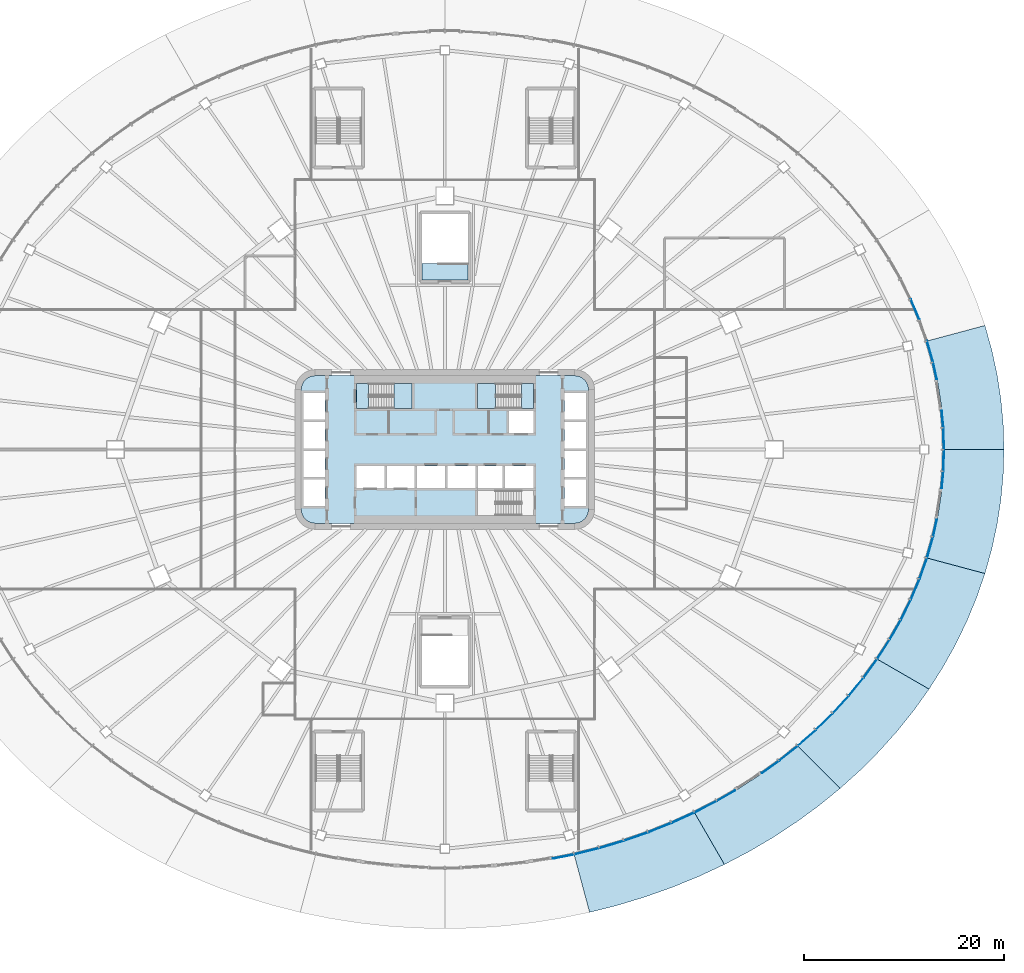
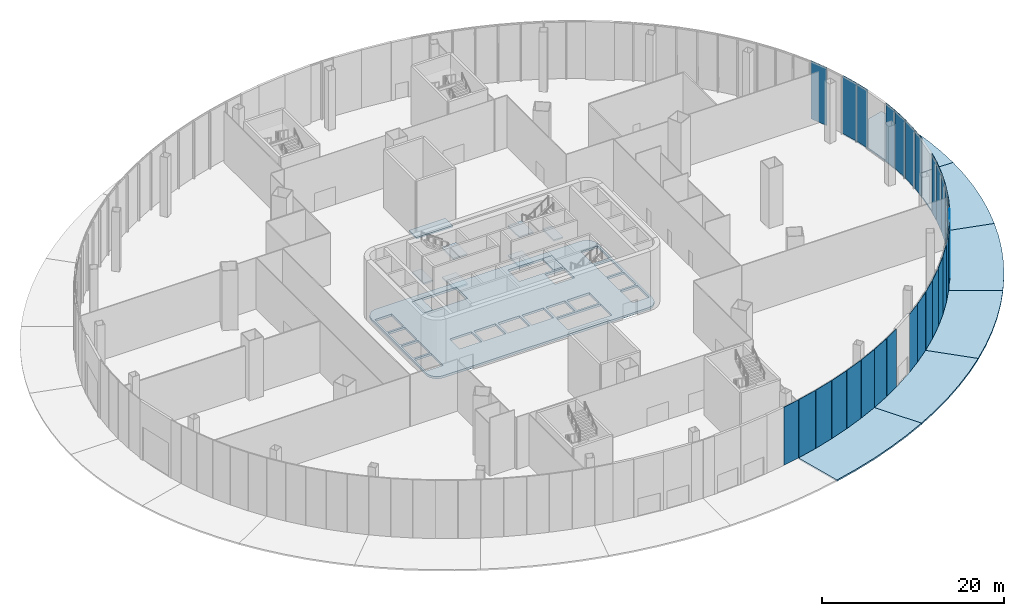
# One storey, part 13 of 36: 29 plates, 16 slabs, 13 elements without a shape of their own.
"""IFC4 building model written with IfcOpenShell, lengths in metres."""

from ifc_helpers import new_model, si_unit, direction, frame, origin, place, context, subcontext, project, spatial, polyline, outline, extrude, material, layer, layer_set, type_object, element, aggregate, save


model = new_model("IFC4")

# Units and contexts
model_context = context("Model", 3, precision=1e-05, world=origin(), true_north=direction((0.0, 1.0)))
body_context = subcontext(model_context, "Body", "Model", "MODEL_VIEW")
ifc_project = project(units=[si_unit("LENGTHUNIT", "METRE"), si_unit("AREAUNIT", "SQUARE_METRE"), si_unit("VOLUMEUNIT", "CUBIC_METRE"), si_unit("PLANEANGLEUNIT", "RADIAN"), si_unit("MASSUNIT", "GRAM", prefix="KILO")], contexts=[model_context])

# Site, building, storey
site_placement = place(None, origin())
site = spatial("IfcSite", under=ifc_project, at=site_placement, CompositionType="ELEMENT")
building_placement = place(site_placement, origin())
building = spatial("IfcBuilding", under=site, at=building_placement, Name="Sahrelin Media Tower", CompositionType="ELEMENT")
storey_placement = place(building_placement, origin())
storey = spatial("IfcBuildingStorey", under=building, at=storey_placement, Name="L00", CompositionType="ELEMENT", Elevation=0.0)

# Slab
ifc_material_1 = material(Name="Concrete C40/50", Category="concrete")
ifc_layer_1 = layer(ifc_material_1, 0.300048828125)
ifc_layer_set_1 = layer_set([ifc_layer_1], Name="Core floor slab 300")
slab_type_1 = type_object("IfcSlabType", Name="Core floor slab 300", PredefinedType="FLOOR", material=ifc_layer_set_1)
slab_1_placement = place(storey_placement, frame((0.0, 0.0, -0.300048828125)))
element("IfcSlab", 1, at=slab_1_placement, inside=storey, type_object=slab_type_1, Name="Core floor", PredefinedType="FLOOR", context=body_context, shape_type="SweptSolid", body=[
    extrude(outline(polyline([(-13.986328125, 6.986328125), (-14.2080078125, 6.697509765625), (-14.347412109375, 6.361083984375), (-14.39990234375, 5.960693359375), (-14.39990234375, -5.960693359375), (-14.347412109375, -6.361083984375), (-14.2080078125, -6.697509765625), (-13.986328125, -6.986328125), (-13.697509765625, -7.2080078125), (-13.361083984375, -7.347412109375), (-12.960693359375, -7.39990234375), (12.960693359375, -7.39990234375), (13.361083984375, -7.347412109375), (13.697509765625, -7.2080078125), (13.986328125, -6.986328125), (14.2080078125, -6.697509765625), (14.347412109375, -6.361083984375), (14.39990234375, -5.960693359375), (14.39990234375, 5.960693359375), (14.347412109375, 6.361083984375), (14.2080078125, 6.697509765625), (13.986328125, 6.986328125), (13.697509765625, 7.2080078125), (13.361083984375, 7.347412109375), (12.960693359375, 7.39990234375), (-12.960693359375, 7.39990234375), (-13.361083984375, 7.347412109375), (-13.697509765625, 7.2080078125), (-13.986328125, 6.986328125)]), holes=[polyline([(-14.14990234375, 5.675048828125), (-14.14990234375, 3.02490234375), (-12.0, 3.02490234375), (-12.0, 5.675048828125), (-14.14990234375, 5.675048828125)]), polyline([(-12.0, 2.77490234375), (-14.14990234375, 2.77490234375), (-14.14990234375, 0.125), (-12.0, 0.125), (-12.0, 2.77490234375)]), polyline([(-12.0, -2.77490234375), (-12.0, -0.125), (-14.14990234375, -0.125), (-14.14990234375, -2.77490234375), (-12.0, -2.77490234375)]), polyline([(-14.14990234375, -5.675048828125), (-12.0, -5.675048828125), (-12.0, -3.02490234375), (-14.14990234375, -3.02490234375), (-14.14990234375, -5.675048828125)]), polyline([(12.0, 5.675048828125), (12.0, 3.02490234375), (14.14990234375, 3.02490234375), (14.14990234375, 5.675048828125), (12.0, 5.675048828125)]), polyline([(14.14990234375, 2.77490234375), (12.0, 2.77490234375), (12.0, 0.125), (14.14990234375, 0.125), (14.14990234375, 2.77490234375)]), polyline([(14.14990234375, -2.77490234375), (14.14990234375, -0.125), (12.0, -0.125), (12.0, -2.77490234375), (14.14990234375, -2.77490234375)]), polyline([(12.0, -5.675048828125), (14.14990234375, -5.675048828125), (14.14990234375, -3.02490234375), (12.0, -3.02490234375), (12.0, -5.675048828125)]), polyline([(6.425048828125, 3.85009765625), (6.425048828125, 1.64990234375), (8.875, 1.64990234375), (8.875, 3.85009765625), (6.425048828125, 3.85009765625)]), polyline([(-6.074951171875, -1.64990234375), (-8.875, -1.64990234375), (-8.875, -3.85009765625), (-6.074951171875, -3.85009765625), (-6.074951171875, -1.64990234375)]), polyline([(-3.02490234375, -3.85009765625), (-3.02490234375, -1.64990234375), (-5.824951171875, -1.64990234375), (-5.824951171875, -3.85009765625), (-3.02490234375, -3.85009765625)]), polyline([(-2.77490234375, -3.85009765625), (0.02490234375, -3.85009765625), (0.02490234375, -1.64990234375), (-2.77490234375, -1.64990234375), (-2.77490234375, -3.85009765625)]), polyline([(0.27490234375, -1.64990234375), (0.27490234375, -3.85009765625), (3.074951171875, -3.85009765625), (3.074951171875, -1.64990234375), (0.27490234375, -1.64990234375)]), polyline([(5.77490234375, -1.64990234375), (3.324951171875, -1.64990234375), (3.324951171875, -3.85009765625), (5.77490234375, -3.85009765625), (5.77490234375, -1.64990234375)]), polyline([(8.875, -3.85009765625), (8.875, -1.64990234375), (6.02490234375, -1.64990234375), (6.02490234375, -3.85009765625), (8.875, -3.85009765625)]), polyline([(-8.875, 6.60009765625), (-8.875, 4.10009765625), (-3.27490234375, 4.10009765625), (-3.27490234375, 6.60009765625), (-8.875, 6.60009765625)]), polyline([(3.27490234375, 4.10009765625), (8.875, 4.10009765625), (8.875, 6.60009765625), (3.27490234375, 6.60009765625), (3.27490234375, 4.10009765625)]), polyline([(3.27490234375, -4.10009765625), (3.27490234375, -6.60009765625), (8.875, -6.60009765625), (8.875, -4.10009765625), (3.27490234375, -4.10009765625)])]), origin(), (0.0, 0.0, 1.0), 0.300048828125),
])

# Curtain wall, plates
ifc_material_2 = material(Name="Champagne anodised aluminium 6063-T6", Category="aluminium")
ifc_layer_2 = layer(ifc_material_2, 0.14990234375)
ifc_layer_set_2 = layer_set([ifc_layer_2], Name="Concourse curtain wall")
curtain_wall_type_1 = type_object("IfcCurtainWallType", Name="Concourse curtain wall", PredefinedType="NOTDEFINED", material=ifc_layer_set_2)
curtain_wall_1_placement = place(storey_placement, frame((50.0, 0.0, 0.0), z_axis=(0.0, 0.0, 1.0), x_axis=(1.0, 0.0, 0.0)))
curtain_wall_1 = element("IfcCurtainWall", 2, at=curtain_wall_1_placement, inside=storey, type_object=curtain_wall_type_1, Name="L00:CW:L00-P00", PredefinedType="NOTDEFINED")
ifc_material_3 = material(Name="Clear low-iron glazing", Category="glass")
ifc_layer_3 = layer(ifc_material_3, 0.06005859375)
ifc_layer_set_3 = layer_set([ifc_layer_3], Name="Glazing panel 60 mm CW4")
plate_type_1 = type_object("IfcPlateType", Name="Glazing panel 60 mm CW4", PredefinedType="CURTAIN_PANEL", material=ifc_layer_set_3)
plate_1_placement = place(storey_placement, frame((50.01806640625, 0.060546875, 0.0), z_axis=(0.999514522545, 0.031156367282, 0.0), x_axis=(-0.031156367282, 0.999514522545, 0.0)))
plate_1 = element("IfcPlate", 3, at=plate_1_placement, type_object=plate_type_1, Name="L00:CWP1a:L00-P00", PredefinedType="CURTAIN_PANEL", context=body_context, shape_type="SweptSolid", body=[
    extrude(outline(polyline([(0.0, 0.0), (2.13916015625, 0.0), (2.13916015625, 7.800048828125), (0.0, 7.800048828125), (0.0, 0.0)])), origin(), (0.0, 0.0, -1.0), 0.06005859375),
])
plate_2_placement = place(storey_placement, frame((49.94580078125, 2.259765625, 0.0), z_axis=(0.995642415906, 0.093253309051, 0.0), x_axis=(-0.093253309051, 0.995642415906, 0.0)))
plate_2 = element("IfcPlate", 4, at=plate_2_placement, type_object=plate_type_1, Name="L00:CWP2a:L00-P00", PredefinedType="CURTAIN_PANEL", context=body_context, shape_type="SweptSolid", body=[
    extrude(outline(polyline([(0.0, 0.0), (1.64404296875, 0.0), (1.64404296875, 7.800048828125), (0.0, 7.800048828125), (0.0, 0.0)])), origin(), (0.0, 0.0, -1.0), 0.06005859375),
])
aggregate(curtain_wall_1, [plate_1, plate_2])

curtain_wall_2_placement = place(storey_placement, frame((49.277587890625, 7.054443359375, 0.0), z_axis=(0.0, 0.0, 1.0), x_axis=(1.0, 0.0, 0.0)))
curtain_wall_2 = element("IfcCurtainWall", 5, at=curtain_wall_2_placement, inside=storey, type_object=curtain_wall_type_1, Name="L00:CW2:L00-P00", PredefinedType="NOTDEFINED")
plate_3_placement = place(storey_placement, frame((49.297119140625, 7.05859375, 0.0), z_axis=(0.976526849992, 0.21539570851, 0.0), x_axis=(-0.21539570851, 0.976526849992, 0.0)))
plate_3 = element("IfcPlate", 6, at=plate_3_placement, type_object=plate_type_1, Name="L00:CWP4a:L00-P00", PredefinedType="CURTAIN_PANEL", context=body_context, shape_type="SweptSolid", body=[
    extrude(outline(polyline([(0.0, 0.0), (1.71826171875, 0.0), (1.71826171875, 7.800048828125), (0.0, 7.800048828125), (0.0, 0.0)])), origin(), (0.0, 0.0, -1.0), 0.06005859375),
])
plate_4_placement = place(storey_placement, frame((48.91015625, 8.79541015625, 0.0), z_axis=(0.961489880043, 0.274840336515, 0.0), x_axis=(-0.274840336515, 0.961489880043, 0.0)))
plate_4 = element("IfcPlate", 7, at=plate_4_placement, type_object=plate_type_1, Name="L00:CWP5a:L00-P00", PredefinedType="CURTAIN_PANEL", context=body_context, shape_type="SweptSolid", body=[
    extrude(outline(polyline([(0.0, 0.0), (2.163818359375, 0.0), (2.163818359375, 7.800048828125), (0.0, 7.800048828125), (0.0, 0.0)])), origin(), (0.0, 0.0, -1.0), 0.06005859375),
])
aggregate(curtain_wall_2, [plate_3, plate_4])

# Curtain wall, plate
curtain_wall_3_placement = place(storey_placement, frame((48.29638671875, 10.870361328125, 0.0), z_axis=(0.0, 0.0, 1.0), x_axis=(1.0, 0.0, 0.0)))
curtain_wall_3 = element("IfcCurtainWall", 8, at=curtain_wall_3_placement, inside=storey, type_object=curtain_wall_type_1, Name="L00:CW:L00-P01", PredefinedType="NOTDEFINED")
plate_5_placement = place(storey_placement, frame((47.5478515625, 13.041748046875, 0.0), z_axis=(0.921498885337, 0.388381004069, 0.0), x_axis=(-0.388381004069, 0.921498885337, 0.0)))
plate_5 = element("IfcPlate", 9, at=plate_5_placement, type_object=plate_type_1, Name="L00:CWP2a:L00-P01", PredefinedType="CURTAIN_PANEL", context=body_context, shape_type="SweptSolid", body=[
    extrude(outline(polyline([(0.0, 0.0), (2.189453125, 0.0), (2.189453125, 7.800048828125), (0.0, 7.800048828125), (0.0, 0.0)])), origin(), (0.0, 0.0, -1.0), 0.06005859375),
])
aggregate(curtain_wall_3, [plate_5])

# Curtain wall, plates
curtain_wall_4_placement = place(storey_placement, frame((12.94091796875, -40.56884765625, 0.0), z_axis=(0.0, 0.0, 1.0), x_axis=(1.0, 0.0, 0.0)))
curtain_wall_4 = element("IfcCurtainWall", 10, at=curtain_wall_4_placement, inside=storey, type_object=curtain_wall_type_1, Name="L00:CW:L00-P19", PredefinedType="NOTDEFINED")
plate_6_placement = place(storey_placement, frame((13.004150390625, -40.57373046875, 0.0), z_axis=(0.241421195895, -0.970420427533, 0.0), x_axis=(0.970420427533, 0.241421195895, 0.0)))
plate_6 = element("IfcPlate", 11, at=plate_6_placement, type_object=plate_type_1, Name="L00:CWP1a:L00-P19", PredefinedType="CURTAIN_PANEL", context=body_context, shape_type="SweptSolid", body=[
    extrude(outline(polyline([(0.0, 0.0), (2.526123046875, 0.0), (2.526123046875, 7.800048828125), (0.0, 7.800048828125), (0.0, 0.0)])), origin(), (0.0, 0.0, -1.0), 0.06005859375),
])
plate_7_placement = place(storey_placement, frame((15.513916015625, -39.946533203125, 0.0), z_axis=(0.285155908316, -0.958481146373, 0.0), x_axis=(0.958481146373, 0.285155908316, 0.0)))
plate_7 = element("IfcPlate", 12, at=plate_7_placement, type_object=plate_type_1, Name="L00:CWP2a:L00-P19", PredefinedType="CURTAIN_PANEL", context=body_context, shape_type="SweptSolid", body=[
    extrude(outline(polyline([(0.0, 0.0), (2.5146484375, 0.0), (2.5146484375, 7.800048828125), (0.0, 7.800048828125), (0.0, 0.0)])), origin(), (0.0, 0.0, -1.0), 0.06005859375),
])
plate_8_placement = place(storey_placement, frame((17.981689453125, -39.209716796875, 0.0), z_axis=(0.328706157062, -0.944432243366, 0.0), x_axis=(0.944432243366, 0.328706157062, 0.0)))
plate_8 = element("IfcPlate", 13, at=plate_8_placement, type_object=plate_type_1, Name="L00:CWP3a:L00-P19", PredefinedType="CURTAIN_PANEL", context=body_context, shape_type="SweptSolid", body=[
    extrude(outline(polyline([(0.0, 0.0), (2.500732421875, 0.0), (2.500732421875, 7.800048828125), (0.0, 7.800048828125), (0.0, 0.0)])), origin(), (0.0, 0.0, -1.0), 0.06005859375),
])
plate_9_placement = place(storey_placement, frame((20.39990234375, -38.365234375, 0.0), z_axis=(0.37193262101, -0.928259729509, 0.0), x_axis=(0.928259729509, 0.37193262101, 0.0)))
plate_9 = element("IfcPlate", 14, at=plate_9_placement, type_object=plate_type_1, Name="L00:CWP4a:L00-P19", PredefinedType="CURTAIN_PANEL", context=body_context, shape_type="SweptSolid", body=[
    extrude(outline(polyline([(0.0, 0.0), (2.485107421875, 0.0), (2.485107421875, 7.800048828125), (0.0, 7.800048828125), (0.0, 0.0)])), origin(), (0.0, 0.0, -1.0), 0.06005859375),
])
plate_10_placement = place(storey_placement, frame((22.762451171875, -37.41552734375, 0.0), z_axis=(0.414920431956, -0.909857700492, 0.0), x_axis=(0.909857700492, 0.414920431956, 0.0)))
plate_10 = element("IfcPlate", 15, at=plate_10_placement, type_object=plate_type_1, Name="L00:CWP5a:L00-P19", PredefinedType="CURTAIN_PANEL", context=body_context, shape_type="SweptSolid", body=[
    extrude(outline(polyline([(0.0, 0.0), (2.46826171875, 0.0), (2.46826171875, 7.800048828125), (0.0, 7.800048828125), (0.0, 0.0)])), origin(), (0.0, 0.0, -1.0), 0.06005859375),
])
aggregate(curtain_wall_4, [plate_6, plate_7, plate_8, plate_9, plate_10])

curtain_wall_5_placement = place(storey_placement, frame((25.0, -36.373046875, 0.0), z_axis=(0.0, 0.0, 1.0), x_axis=(1.0, 0.0, 0.0)))
curtain_wall_5 = element("IfcCurtainWall", 16, at=curtain_wall_5_placement, inside=storey, type_object=curtain_wall_type_1, Name="L00:CW:L00-P20", PredefinedType="NOTDEFINED")
plate_11_placement = place(storey_placement, frame((25.0625, -36.36328125, 0.0), z_axis=(0.457624898089, -0.889145349563, 0.0), x_axis=(0.889145349563, 0.457624898089, 0.0)))
plate_11 = element("IfcPlate", 17, at=plate_11_placement, type_object=plate_type_1, Name="L00:CWP1a:L00-P20", PredefinedType="CURTAIN_PANEL", context=body_context, shape_type="SweptSolid", body=[
    extrude(outline(polyline([(0.0, 0.0), (2.450439453125, 0.0), (2.450439453125, 7.800048828125), (0.0, 7.800048828125), (0.0, 0.0)])), origin(), (0.0, 0.0, -1.0), 0.06005859375),
])
plate_12_placement = place(storey_placement, frame((27.2939453125, -35.21142578125, 0.0), z_axis=(0.499984633485, -0.866034275465, 0.0), x_axis=(0.866034275465, 0.499984633485, 0.0)))
plate_12 = element("IfcPlate", 18, at=plate_12_placement, type_object=plate_type_1, Name="L00:CWP2a:L00-P20", PredefinedType="CURTAIN_PANEL", context=body_context, shape_type="SweptSolid", body=[
    extrude(outline(polyline([(0.0, 0.0), (2.06884765625, 0.0), (2.06884765625, 7.800048828125), (0.0, 7.800048828125), (0.0, 0.0)])), origin(), (0.0, 0.0, -1.0), 0.06005859375),
])
aggregate(curtain_wall_5, [plate_11, plate_12])

curtain_wall_6_placement = place(storey_placement, frame((31.76416015625, -32.426025390625, 0.0), z_axis=(0.0, 0.0, 1.0), x_axis=(1.0, 0.0, 0.0)))
curtain_wall_6 = element("IfcCurtainWall", 19, at=curtain_wall_6_placement, inside=storey, type_object=curtain_wall_type_1, Name="L00:CW2:L00-P20", PredefinedType="NOTDEFINED")
plate_13_placement = place(storey_placement, frame((31.77587890625, -32.4423828125, 0.0), z_axis=(0.582833845015, -0.812591354313, 0.0), x_axis=(0.812591354313, 0.582833845015, 0.0)))
plate_13 = element("IfcPlate", 20, at=plate_13_placement, type_object=plate_type_1, Name="L00:CWP4a:L00-P20", PredefinedType="CURTAIN_PANEL", context=body_context, shape_type="SweptSolid", body=[
    extrude(outline(polyline([(0.0, 0.0), (2.082763671875, 0.0), (2.082763671875, 7.800048828125), (0.0, 7.800048828125), (0.0, 0.0)])), origin(), (0.0, 0.0, -1.0), 0.06005859375),
])
plate_14_placement = place(storey_placement, frame((33.515869140625, -31.190185546875, 0.0), z_axis=(0.623260841963, -0.782014017058, 0.0), x_axis=(0.782014017058, 0.623260841963, 0.0)))
plate_14 = element("IfcPlate", 21, at=plate_14_placement, type_object=plate_type_1, Name="L00:CWP5a:L00-P20", PredefinedType="CURTAIN_PANEL", context=body_context, shape_type="SweptSolid", body=[
    extrude(outline(polyline([(0.0, 0.0), (2.368408203125, 0.0), (2.368408203125, 7.800048828125), (0.0, 7.800048828125), (0.0, 0.0)])), origin(), (0.0, 0.0, -1.0), 0.06005859375),
])
aggregate(curtain_wall_6, [plate_13, plate_14])

curtain_wall_7_placement = place(storey_placement, frame((35.355224609375, -29.698486328125, 0.0), z_axis=(0.0, 0.0, 1.0), x_axis=(1.0, 0.0, 0.0)))
curtain_wall_7 = element("IfcCurtainWall", 22, at=curtain_wall_7_placement, inside=storey, type_object=curtain_wall_type_1, Name="L00:CW:L00-P21", PredefinedType="NOTDEFINED")
plate_15_placement = place(storey_placement, frame((35.41357421875, -29.673583984375, 0.0), z_axis=(0.662825302002, -0.748774077426, 0.0), x_axis=(0.748774077426, 0.662825302002, 0.0)))
plate_15 = element("IfcPlate", 23, at=plate_15_placement, type_object=plate_type_1, Name="L00:CWP1a:L00-P21", PredefinedType="CURTAIN_PANEL", context=body_context, shape_type="SweptSolid", body=[
    extrude(outline(polyline([(0.0, 0.0), (2.34619140625, 0.0), (2.34619140625, 7.800048828125), (0.0, 7.800048828125), (0.0, 0.0)])), origin(), (0.0, 0.0, -1.0), 0.06005859375),
])
plate_16_placement = place(storey_placement, frame((37.214111328125, -28.07568359375, 0.0), z_axis=(0.701200468246, -0.712964166934, 0.0), x_axis=(0.712964166934, 0.701200468246, 0.0)))
plate_16 = element("IfcPlate", 24, at=plate_16_placement, type_object=plate_type_1, Name="L00:CWP2a:L00-P21", PredefinedType="CURTAIN_PANEL", context=body_context, shape_type="SweptSolid", body=[
    extrude(outline(polyline([(0.0, 0.0), (2.324462890625, 0.0), (2.324462890625, 7.800048828125), (0.0, 7.800048828125), (0.0, 0.0)])), origin(), (0.0, 0.0, -1.0), 0.06005859375),
])
plate_17_placement = place(storey_placement, frame((38.91259765625, -26.400634765625, 0.0), z_axis=(0.738350052699, -0.6744176745, 0.0), x_axis=(0.6744176745, 0.738350052699, 0.0)))
plate_17 = element("IfcPlate", 25, at=plate_17_placement, type_object=plate_type_1, Name="L00:CWP3a:L00-P21", PredefinedType="CURTAIN_PANEL", context=body_context, shape_type="SweptSolid", body=[
    extrude(outline(polyline([(0.0, 0.0), (2.302734375, 0.0), (2.302734375, 7.800048828125), (0.0, 7.800048828125), (0.0, 0.0)])), origin(), (0.0, 0.0, -1.0), 0.06005859375),
])
plate_18_placement = place(storey_placement, frame((40.50439453125, -24.6533203125, 0.0), z_axis=(0.774004974834, -0.633179515566, 0.0), x_axis=(0.633179515566, 0.774004974834, 0.0)))
plate_18 = element("IfcPlate", 26, at=plate_18_placement, type_object=plate_type_1, Name="L00:CWP4a:L00-P21", PredefinedType="CURTAIN_PANEL", context=body_context, shape_type="SweptSolid", body=[
    extrude(outline(polyline([(0.0, 0.0), (2.281494140625, 0.0), (2.281494140625, 7.800048828125), (0.0, 7.800048828125), (0.0, 0.0)])), origin(), (0.0, 0.0, -1.0), 0.06005859375),
])
plate_19_placement = place(storey_placement, frame((41.985107421875, -22.838134765625, 0.0), z_axis=(0.807899339491, -0.589320504692, 0.0), x_axis=(0.589320504692, 0.807899339491, 0.0)))
plate_19 = element("IfcPlate", 27, at=plate_19_placement, type_object=plate_type_1, Name="L00:CWP5a:L00-P21", PredefinedType="CURTAIN_PANEL", context=body_context, shape_type="SweptSolid", body=[
    extrude(outline(polyline([(0.0, 0.0), (2.2607421875, 0.0), (2.2607421875, 7.800048828125), (0.0, 7.800048828125), (0.0, 0.0)])), origin(), (0.0, 0.0, -1.0), 0.06005859375),
])
aggregate(curtain_wall_7, [plate_15, plate_16, plate_17, plate_18, plate_19])

curtain_wall_8_placement = place(storey_placement, frame((43.30126953125, -21.0, 0.0), z_axis=(0.0, 0.0, 1.0), x_axis=(1.0, 0.0, 0.0)))
curtain_wall_8 = element("IfcCurtainWall", 28, at=curtain_wall_8_placement, inside=storey, type_object=curtain_wall_type_1, Name="L00:CW:L00-P22", PredefinedType="NOTDEFINED")
plate_20_placement = place(storey_placement, frame((43.3505859375, -20.96044921875, 0.0), z_axis=(0.839795162144, -0.54290338518, 0.0), x_axis=(0.54290338518, 0.839795162144, 0.0)))
plate_20 = element("IfcPlate", 29, at=plate_20_placement, type_object=plate_type_1, Name="L00:CWP1a:L00-P22", PredefinedType="CURTAIN_PANEL", context=body_context, shape_type="SweptSolid", body=[
    extrude(outline(polyline([(0.0, 0.0), (2.24072265625, 0.0), (2.24072265625, 7.800048828125), (0.0, 7.800048828125), (0.0, 0.0)])), origin(), (0.0, 0.0, -1.0), 0.06005859375),
])
plate_21_placement = place(storey_placement, frame((44.597412109375, -19.025390625, 0.0), z_axis=(0.869632377326, -0.493699836243, 0.0), x_axis=(0.493699836243, 0.869632377326, 0.0)))
plate_21 = element("IfcPlate", 30, at=plate_21_placement, type_object=plate_type_1, Name="L00:CWP2a:L00-P22", PredefinedType="CURTAIN_PANEL", context=body_context, shape_type="SweptSolid", body=[
    extrude(outline(polyline([(0.0, 0.0), (2.222412109375, 0.0), (2.222412109375, 7.800048828125), (0.0, 7.800048828125), (0.0, 0.0)])), origin(), (0.0, 0.0, -1.0), 0.06005859375),
])
plate_22_placement = place(storey_placement, frame((45.7216796875, -17.037841796875, 0.0), z_axis=(0.896849811452, -0.442335184784, 0.0), x_axis=(0.442335184784, 0.896849811452, 0.0)))
plate_22 = element("IfcPlate", 31, at=plate_22_placement, type_object=plate_type_1, Name="L00:CWP3a:L00-P22", PredefinedType="CURTAIN_PANEL", context=body_context, shape_type="SweptSolid", body=[
    extrude(outline(polyline([(0.0, 0.0), (2.205078125, 0.0), (2.205078125, 7.800048828125), (0.0, 7.800048828125), (0.0, 0.0)])), origin(), (0.0, 0.0, -1.0), 0.06005859375),
])
plate_23_placement = place(storey_placement, frame((46.720703125, -15.00390625, 0.0), z_axis=(0.921442144593, -0.388515603505, 0.0), x_axis=(0.388515603505, 0.921442144593, 0.0)))
plate_23 = element("IfcPlate", 32, at=plate_23_placement, type_object=plate_type_1, Name="L00:CWP4a:L00-P22", PredefinedType="CURTAIN_PANEL", context=body_context, shape_type="SweptSolid", body=[
    extrude(outline(polyline([(0.0, 0.0), (2.189208984375, 0.0), (2.189208984375, 7.800048828125), (0.0, 7.800048828125), (0.0, 0.0)])), origin(), (0.0, 0.0, -1.0), 0.06005859375),
])
plate_24_placement = place(storey_placement, frame((47.591552734375, -12.9287109375, 0.0), z_axis=(0.943052474223, -0.33264400019, 0.0), x_axis=(0.33264400019, 0.943052474223, 0.0)))
plate_24 = element("IfcPlate", 33, at=plate_24_placement, type_object=plate_type_1, Name="L00:CWP5a:L00-P22", PredefinedType="CURTAIN_PANEL", context=body_context, shape_type="SweptSolid", body=[
    extrude(outline(polyline([(0.0, 0.0), (2.17529296875, 0.0), (2.17529296875, 7.800048828125), (0.0, 7.800048828125), (0.0, 0.0)])), origin(), (0.0, 0.0, -1.0), 0.06005859375),
])
aggregate(curtain_wall_8, [plate_20, plate_21, plate_22, plate_23, plate_24])

curtain_wall_9_placement = place(storey_placement, frame((48.29638671875, -10.870361328125, 0.0), z_axis=(0.0, 0.0, 1.0), x_axis=(1.0, 0.0, 0.0)))
curtain_wall_9 = element("IfcCurtainWall", 34, at=curtain_wall_9_placement, inside=storey, type_object=curtain_wall_type_1, Name="L00:CW:L00-P23", PredefinedType="NOTDEFINED")
plate_25_placement = place(storey_placement, frame((48.33203125, -10.818115234375, 0.0), z_axis=(0.961511172241, -0.27476583786, 0.0), x_axis=(0.27476583786, 0.961511172241, 0.0)))
plate_25 = element("IfcPlate", 35, at=plate_25_placement, type_object=plate_type_1, Name="L00:CWP1a:L00-P23", PredefinedType="CURTAIN_PANEL", context=body_context, shape_type="SweptSolid", body=[
    extrude(outline(polyline([(0.0, 0.0), (2.16357421875, 0.0), (2.16357421875, 7.800048828125), (0.0, 7.800048828125), (0.0, 0.0)])), origin(), (0.0, 0.0, -1.0), 0.06005859375),
])
plate_26_placement = place(storey_placement, frame((48.93994140625, -8.677978515625, 0.0), z_axis=(0.976528782843, -0.21538694547, 0.0), x_axis=(0.21538694547, 0.976528782843, 0.0)))
plate_26 = element("IfcPlate", 36, at=plate_26_placement, type_object=plate_type_1, Name="L00:CWP2a:L00-P23", PredefinedType="CURTAIN_PANEL", context=body_context, shape_type="SweptSolid", body=[
    extrude(outline(polyline([(0.0, 0.0), (1.658203125, 0.0), (1.658203125, 7.800048828125), (0.0, 7.800048828125), (0.0, 0.0)])), origin(), (0.0, 0.0, -1.0), 0.06005859375),
])
aggregate(curtain_wall_9, [plate_25, plate_26])

curtain_wall_10_placement = place(storey_placement, frame((49.7724609375, -3.89501953125, 0.0), z_axis=(0.0, 0.0, 1.0), x_axis=(1.0, 0.0, 0.0)))
curtain_wall_10 = element("IfcCurtainWall", 37, at=curtain_wall_10_placement, inside=storey, type_object=curtain_wall_type_1, Name="L00:CW2:L00-P23", PredefinedType="NOTDEFINED")
plate_27_placement = place(storey_placement, frame((49.79248046875, -3.896728515625, 0.0), z_axis=(0.995641711646, -0.093260827954, 0.0), x_axis=(0.093260827954, 0.995641711646, 0.0)))
plate_27 = element("IfcPlate", 38, at=plate_27_placement, type_object=plate_type_1, Name="L00:CWP4a:L00-P23", PredefinedType="CURTAIN_PANEL", context=body_context, shape_type="SweptSolid", body=[
    extrude(outline(polyline([(0.0, 0.0), (1.7041015625, 0.0), (1.7041015625, 7.800048828125), (0.0, 7.800048828125), (0.0, 0.0)])), origin(), (0.0, 0.0, -1.0), 0.06005859375),
])
plate_28_placement = place(storey_placement, frame((49.953369140625, -2.138916015625, 0.0), z_axis=(0.99951463331, -0.031152813665, 0.0), x_axis=(0.031152813665, 0.99951463331, 0.0)))
plate_28 = element("IfcPlate", 39, at=plate_28_placement, type_object=plate_type_1, Name="L00:CWP5a:L00-P23", PredefinedType="CURTAIN_PANEL", context=body_context, shape_type="SweptSolid", body=[
    extrude(outline(polyline([(0.0, 0.0), (2.139404296875, 0.0), (2.139404296875, 7.800048828125), (0.0, 7.800048828125), (0.0, 0.0)])), origin(), (0.0, 0.0, -1.0), 0.06005859375),
])
aggregate(curtain_wall_10, [plate_27, plate_28])

# Curtain wall, plate
ifc_layer_4 = layer(ifc_material_2, 0.14990234375)
ifc_layer_set_4 = layer_set([ifc_layer_4], Name="Entrance bay curtain wall")
curtain_wall_type_2 = type_object("IfcCurtainWallType", Name="Entrance bay curtain wall", PredefinedType="NOTDEFINED", material=ifc_layer_set_4)
curtain_wall_11_placement = place(storey_placement, frame((10.8310546875, -40.994384765625, 0.0), z_axis=(0.0, 0.0, 1.0), x_axis=(1.0, 0.0, 0.0)))
curtain_wall_11 = element("IfcCurtainWall", 40, at=curtain_wall_11_placement, inside=storey, type_object=curtain_wall_type_2, Name="L00:CW2:L00-P18", PredefinedType="NOTDEFINED")
ifc_layer_5 = layer(ifc_material_3, 0.06005859375)
ifc_layer_set_5 = layer_set([ifc_layer_5], Name="Glazing panel 60 mm CW6")
plate_type_2 = type_object("IfcPlateType", Name="Glazing panel 60 mm CW6", PredefinedType="CURTAIN_PANEL", material=ifc_layer_set_5)
plate_29_placement = place(storey_placement, frame((10.8349609375, -41.013916015625, 0.0), z_axis=(0.19768627641, -0.98026533965, 0.0), x_axis=(0.98026533965, 0.19768627641, 0.0)))
plate_29 = element("IfcPlate", 41, at=plate_29_placement, type_object=plate_type_2, Name="L00:CWP5a:L00-P18", PredefinedType="CURTAIN_PANEL", context=body_context, shape_type="SweptSolid", body=[
    extrude(outline(polyline([(0.0, 0.0), (2.152587890625, 0.0), (2.152587890625, 7.800048828125), (0.0, 7.800048828125), (0.0, 0.0)])), origin(), (0.0, 0.0, -1.0), 0.06005859375),
])
aggregate(curtain_wall_11, [plate_29])

# Slabs
ifc_material_4 = material(Name="Concrete C32/40", Category="concrete")
ifc_layer_6 = layer(ifc_material_4, 0.199951171875)
ifc_layer_set_6 = layer_set([ifc_layer_6], Name="Plaza paving slab")
slab_type_2 = type_object("IfcSlabType", Name="Plaza paving slab", PredefinedType="USERDEFINED", material=ifc_layer_set_6)
placement_1 = place(storey_placement, frame((0.0, 0.0, -0.199951171875)))
element("IfcSlab", 42, at=placement_1, inside=storey, type_object=slab_type_2, Name="Plaza PAVING 1", ObjectType="PAVING", PredefinedType="USERDEFINED", context=body_context, shape_type="SweptSolid", body=[
    extrude(outline(polyline([(50.0, 0.0), (49.931396484375, 2.197998046875), (49.72607421875, 4.39013671875), (49.384521484375, 6.5703125), (48.907470703125, 8.732421875), (48.29638671875, 10.870361328125), (54.091796875, 12.42333984375), (54.7763671875, 9.979736328125), (55.310546875, 7.5087890625), (55.693115234375, 5.017333984375), (55.92333984375, 2.51220703125), (56.0, 0.0), (50.0, 0.0)])), origin(), (0.0, 0.0, 1.0), 0.199951171875),
])
element("IfcSlab", 43, at=placement_1, inside=storey, type_object=slab_type_2, Name="Plaza PAVING 20", ObjectType="PAVING", PredefinedType="USERDEFINED", context=body_context, shape_type="SweptSolid", body=[
    extrude(outline(polyline([(12.94091796875, -40.56884765625), (15.45068359375, -39.9443359375), (17.91845703125, -39.21044921875), (20.3369140625, -38.368896484375), (22.699462890625, -37.42236328125), (25.0, -36.373046875), (28.0, -41.5693359375), (25.42333984375, -42.768310546875), (22.777099609375, -43.85009765625), (20.068603515625, -44.81201171875), (17.304931640625, -45.650634765625), (14.493896484375, -46.364501953125), (12.94091796875, -40.56884765625)])), origin(), (0.0, 0.0, 1.0), 0.199951171875),
])
element("IfcSlab", 44, at=placement_1, inside=storey, type_object=slab_type_2, Name="Plaza PAVING 21", ObjectType="PAVING", PredefinedType="USERDEFINED", context=body_context, shape_type="SweptSolid", body=[
    extrude(outline(polyline([(25.0, -36.373046875), (27.23193359375, -35.22412109375), (29.389404296875, -33.978759765625), (31.466064453125, -32.64013671875), (33.45654296875, -31.212158203125), (35.355224609375, -29.698486328125), (39.597900390625, -33.941162109375), (37.47119140625, -35.6708984375), (35.241943359375, -37.302978515625), (32.916015625, -38.832763671875), (30.499755859375, -40.256103515625), (28.0, -41.5693359375), (25.0, -36.373046875)])), origin(), (0.0, 0.0, 1.0), 0.199951171875),
])
element("IfcSlab", 45, at=placement_1, inside=storey, type_object=slab_type_2, Name="Plaza PAVING 22", ObjectType="PAVING", PredefinedType="USERDEFINED", context=body_context, shape_type="SweptSolid", body=[
    extrude(outline(polyline([(35.355224609375, -29.698486328125), (37.1572265625, -28.103515625), (38.857421875, -26.431396484375), (40.45068359375, -24.68701171875), (41.93359375, -22.874755859375), (43.30126953125, -21.0), (48.49755859375, -24.0), (46.965576171875, -26.142578125), (45.304931640625, -28.213623046875), (43.520263671875, -30.20751953125), (41.6162109375, -32.118408203125), (39.597900390625, -33.941162109375), (35.355224609375, -29.698486328125)])), origin(), (0.0, 0.0, 1.0), 0.199951171875),
])
element("IfcSlab", 46, at=placement_1, inside=storey, type_object=slab_type_2, Name="Plaza PAVING 23", ObjectType="PAVING", PredefinedType="USERDEFINED", context=body_context, shape_type="SweptSolid", body=[
    extrude(outline(polyline([(43.30126953125, -21.0), (44.55029296875, -19.067626953125), (45.67724609375, -17.0830078125), (46.678955078125, -15.051513671875), (47.552734375, -12.978759765625), (48.29638671875, -10.870361328125), (54.091796875, -12.42333984375), (53.259033203125, -14.832763671875), (52.280517578125, -17.20166015625), (51.15869140625, -19.523193359375), (49.896240234375, -21.79150390625), (48.49755859375, -24.0), (43.30126953125, -21.0)])), origin(), (0.0, 0.0, 1.0), 0.199951171875),
])
element("IfcSlab", 47, at=placement_1, inside=storey, type_object=slab_type_2, Name="Plaza PAVING 24", ObjectType="PAVING", PredefinedType="USERDEFINED", context=body_context, shape_type="SweptSolid", body=[
    extrude(outline(polyline([(48.29638671875, -10.870361328125), (48.907470703125, -8.732421875), (49.384521484375, -6.5703125), (49.72607421875, -4.39013671875), (49.931396484375, -2.197998046875), (50.0, 0.0), (56.0, 0.0), (55.92333984375, -2.51220703125), (55.693115234375, -5.017333984375), (55.310546875, -7.5087890625), (54.7763671875, -9.979736328125), (54.091796875, -12.42333984375), (48.29638671875, -10.870361328125)])), origin(), (0.0, 0.0, 1.0), 0.199951171875),
])

# Stair, slabs
stair_type = type_object("IfcStairType", Name="Exit stair 1200", PredefinedType="HALF_TURN_STAIR", material=ifc_material_1)
placement_2 = place(storey_placement, origin())
stair_1 = element("IfcStair", 48, at=placement_2, inside=storey, type_object=stair_type, Name="L00 Exit stair ST1", PredefinedType="HALF_TURN_STAIR")
ifc_layer_7 = layer(ifc_material_1, 0.199951171875)
ifc_layer_set_7 = layer_set([ifc_layer_7], Name="Stair landing 200")
slab_type_3 = type_object("IfcSlabType", Name="Stair landing 200", PredefinedType="LANDING", material=ifc_layer_set_7)
placement_3 = place(storey_placement, frame((0.0, 0.0, 1.800048828125)))
slab_8 = element("IfcSlab", 49, at=placement_3, type_object=slab_type_3, Name="ST1 landing 1", PredefinedType="LANDING", context=body_context, shape_type="SweptSolid", body=[
    extrude(outline(polyline([(-5.074951171875, 4.10009765625), (-3.27490234375, 4.10009765625), (-3.27490234375, 6.60009765625), (-5.074951171875, 6.60009765625), (-5.074951171875, 4.10009765625)])), origin(), (0.0, 0.0, 1.0), 0.199951171875),
])
placement_4 = place(storey_placement, frame((0.0, 0.0, 3.800048828125)))
slab_9 = element("IfcSlab", 50, at=placement_4, type_object=slab_type_3, Name="ST1 landing 2", PredefinedType="LANDING", context=body_context, shape_type="SweptSolid", body=[
    extrude(outline(polyline([(-8.875, 4.10009765625), (-7.675048828125, 4.10009765625), (-7.675048828125, 6.60009765625), (-8.875, 6.60009765625), (-8.875, 4.10009765625)])), origin(), (0.0, 0.0, 1.0), 0.199951171875),
])
placement_5 = place(storey_placement, frame((0.0, 0.0, 5.800048828125)))
slab_10 = element("IfcSlab", 51, at=placement_5, type_object=slab_type_3, Name="ST1 landing 3", PredefinedType="LANDING", context=body_context, shape_type="SweptSolid", body=[
    extrude(outline(polyline([(-5.074951171875, 4.10009765625), (-3.27490234375, 4.10009765625), (-3.27490234375, 6.60009765625), (-5.074951171875, 6.60009765625), (-5.074951171875, 4.10009765625)])), origin(), (0.0, 0.0, 1.0), 0.199951171875),
])
slab_11 = element("IfcSlab", 52, at=placement_1, type_object=slab_type_3, Name="ST1 landing 4", PredefinedType="LANDING", context=body_context, shape_type="SweptSolid", body=[
    extrude(outline(polyline([(-8.875, 4.10009765625), (-7.675048828125, 4.10009765625), (-7.675048828125, 6.60009765625), (-8.875, 6.60009765625), (-8.875, 4.10009765625)])), origin(), (0.0, 0.0, 1.0), 0.199951171875),
])
aggregate(stair_1, [slab_8, slab_9, slab_10, slab_11])

stair_2 = element("IfcStair", 53, at=placement_2, inside=storey, type_object=stair_type, Name="L00 Exit stair ST3", PredefinedType="HALF_TURN_STAIR")
slab_12 = element("IfcSlab", 54, at=placement_3, type_object=slab_type_3, Name="ST3 landing 1", PredefinedType="LANDING", context=body_context, shape_type="SweptSolid", body=[
    extrude(outline(polyline([(5.074951171875, 6.60009765625), (3.27490234375, 6.60009765625), (3.27490234375, 4.10009765625), (5.074951171875, 4.10009765625), (5.074951171875, 6.60009765625)])), origin(), (0.0, 0.0, 1.0), 0.199951171875),
])
slab_13 = element("IfcSlab", 55, at=placement_4, type_object=slab_type_3, Name="ST3 landing 2", PredefinedType="LANDING", context=body_context, shape_type="SweptSolid", body=[
    extrude(outline(polyline([(8.875, 6.60009765625), (7.675048828125, 6.60009765625), (7.675048828125, 4.10009765625), (8.875, 4.10009765625), (8.875, 6.60009765625)])), origin(), (0.0, 0.0, 1.0), 0.199951171875),
])
slab_14 = element("IfcSlab", 56, at=placement_5, type_object=slab_type_3, Name="ST3 landing 3", PredefinedType="LANDING", context=body_context, shape_type="SweptSolid", body=[
    extrude(outline(polyline([(5.074951171875, 6.60009765625), (3.27490234375, 6.60009765625), (3.27490234375, 4.10009765625), (5.074951171875, 4.10009765625), (5.074951171875, 6.60009765625)])), origin(), (0.0, 0.0, 1.0), 0.199951171875),
])
slab_15 = element("IfcSlab", 57, at=placement_1, type_object=slab_type_3, Name="ST3 landing 4", PredefinedType="LANDING", context=body_context, shape_type="SweptSolid", body=[
    extrude(outline(polyline([(8.875, 6.60009765625), (7.675048828125, 6.60009765625), (7.675048828125, 4.10009765625), (8.875, 4.10009765625), (8.875, 6.60009765625)])), origin(), (0.0, 0.0, 1.0), 0.199951171875),
])
aggregate(stair_2, [slab_12, slab_13, slab_14, slab_15])

# Slab
element("IfcSlab", 58, at=placement_1, inside=storey, type_object=slab_type_3, Name="BS1 L00 floor landing", PredefinedType="LANDING", context=body_context, shape_type="SweptSolid", body=[
    extrude(outline(polyline([(2.300048828125, 17.0), (2.300048828125, 18.64990234375), (-2.300048828125, 18.64990234375), (-2.300048828125, 17.0), (2.300048828125, 17.0)])), origin(), (0.0, 0.0, 1.0), 0.199951171875),
])

save(model, "model.ifc")
